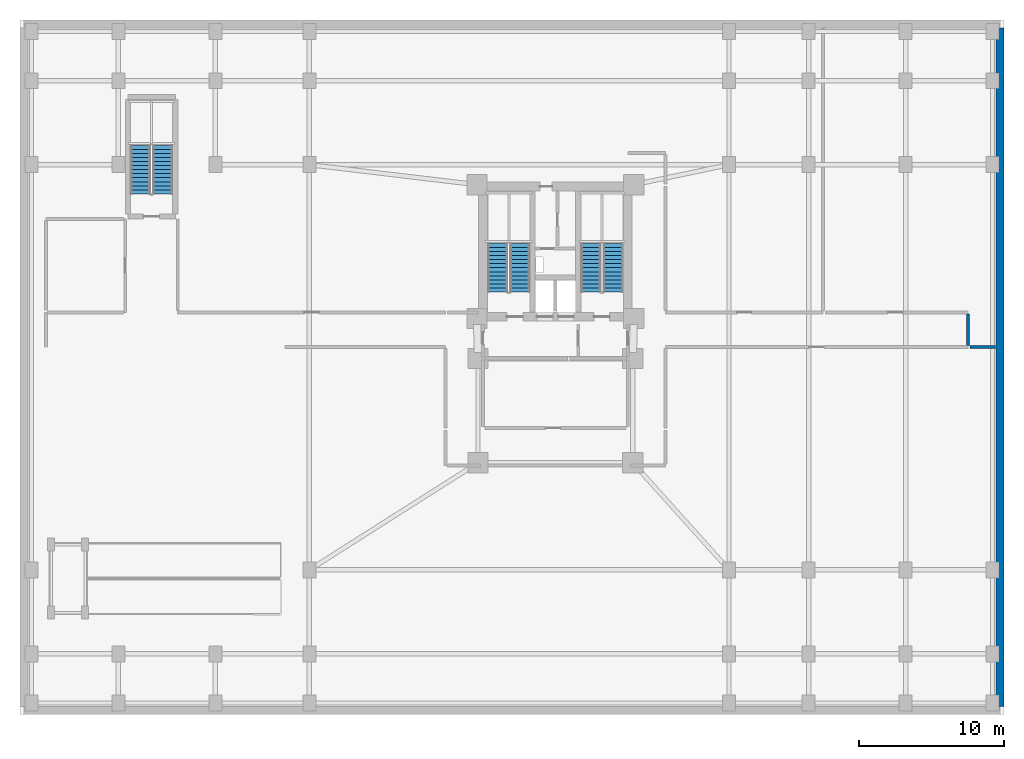
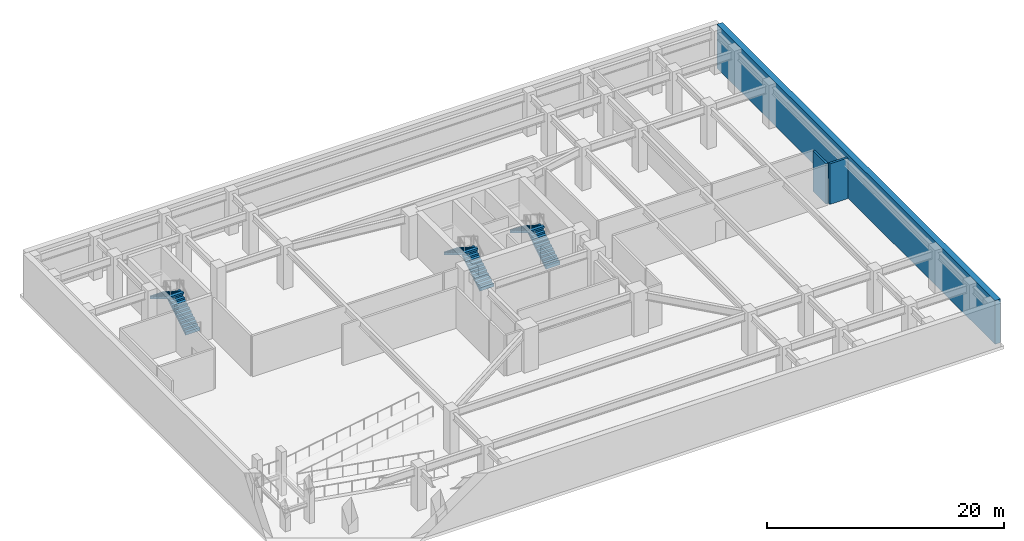
# One storey, part 6 of 8: 6 stair flights, 3 walls, 3 elements without a shape of their own.
"""IFC4 building model written with IfcOpenShell, lengths in metres."""

from ifc_helpers import new_model, si_unit, direction, frame, frame_2d, origin, place, context, subcontext, project, spatial, polyline, rectangle, outline, extrude, material, layer, layer_set, type_object, element, aggregate, save


model = new_model("IFC4")

# Units and contexts
model_context = context("Model", 3, precision=1e-05, world=origin(), true_north=direction((0.0, 1.0)))
body_context = subcontext(model_context, "Body", "Model", "MODEL_VIEW")
ifc_project = project(units=[si_unit("LENGTHUNIT", "METRE"), si_unit("AREAUNIT", "SQUARE_METRE"), si_unit("VOLUMEUNIT", "CUBIC_METRE"), si_unit("PLANEANGLEUNIT", "RADIAN"), si_unit("MASSUNIT", "GRAM", prefix="KILO")], contexts=[model_context])

# Site, building, storey
site_placement = place(None, origin())
site = spatial("IfcSite", under=ifc_project, at=site_placement, CompositionType="ELEMENT")
building_placement = place(site_placement, origin())
building = spatial("IfcBuilding", under=site, at=building_placement, Name="Varnakorn Sky Granary", CompositionType="ELEMENT")
storey_placement = place(building_placement, frame((0.0, 0.0, -9.0)))
storey = spatial("IfcBuildingStorey", under=building, at=storey_placement, Name="B02", CompositionType="ELEMENT", Elevation=-9.0)

# Walls
ifc_material_1 = material(Name="Autoclaved Aerated Concrete Blockwork", Category="masonry")
ifc_layer_1 = layer(ifc_material_1, 0.199951171875, Name="Autoclaved Aerated Concrete Blockwork")
ifc_layer_set_1 = layer_set([ifc_layer_1], Name="Autoclaved Aerated Concrete Blockwork")
wall_type_1 = type_object("IfcWallType", Name="WT-FIRE-200", PredefinedType="MOVABLE", material=ifc_layer_set_1)
wall_1_placement = place(storey_placement, frame((31.5, 1.510009765625, 0.0), z_axis=(0.0, 0.0, 1.0), x_axis=(0.0, 1.0, 0.0)))
element("IfcWall", 1, at=wall_1_placement, inside=storey, type_object=wall_type_1, Name="Interior Partition Wall B02-031", PredefinedType="MOVABLE", context=body_context, shape_type="SweptSolid", body=[
    extrude(rectangle(XDim=2.179931640625, YDim=0.199951171875, at=frame_2d((1.08984375, 0.0))), origin(), (0.0, 0.0, 1.0), 4.179931640625),
])
wall_2_placement = place(storey_placement, frame((31.659912109375, 1.39990234375, 0.0), z_axis=(0.0, 0.0, 1.0), x_axis=(1.0, 0.0, 0.0)))
element("IfcWall", 2, at=wall_2_placement, inside=storey, type_object=wall_type_1, Name="Interior Partition Wall B02-033", PredefinedType="MOVABLE", context=body_context, shape_type="SweptSolid", body=[
    extrude(rectangle(XDim=1.755126953125, YDim=0.199951171875, at=frame_2d((0.87744140625, 0.0))), origin(), (0.0, 0.0, 1.0), 4.179931640625),
])
ifc_material_2 = material(Name="Concrete C50/60", Category="concrete")
ifc_layer_2 = layer(ifc_material_2, 0.550048828125, Name="Concrete C50/60")
ifc_layer_set_2 = layer_set([ifc_layer_2], Name="Concrete C50/60")
wall_type_2 = type_object("IfcWallType", Name="WT-RW-BSMT-550", PredefinedType="SOLIDWALL", material=ifc_layer_set_2)
wall_3_placement = place(storey_placement, frame((33.72509765625, -23.43994140625, 0.0), z_axis=(0.0, 0.0, 1.0), x_axis=(0.0, 1.0, 0.0)))
element("IfcWall", 3, at=wall_3_placement, inside=storey, type_object=wall_type_2, Name="Basement Perimeter Retaining Wall B02-E", PredefinedType="SOLIDWALL", context=body_context, shape_type="SweptSolid", body=[
    extrude(rectangle(XDim=46.8798828125, YDim=0.550048828125, at=frame_2d((23.43994140625, 0.0))), origin(), (0.0, 0.0, 1.0), 4.491943359375),
])

# Stair, stair flights
ifc_material_3 = material(Name="Concrete C40/50", Category="concrete")
stair_type = type_object("IfcStairType", Name="ST-MAIN-ASSEMBLY", PredefinedType="HALF_TURN_STAIR", material=ifc_material_3)
stair_1_placement = place(storey_placement, origin())
stair_1 = element("IfcStair", 4, at=stair_1_placement, inside=storey, type_object=stair_type, Name="B02 Protected Exit Stair ST-1", PredefinedType="HALF_TURN_STAIR")
stair_flight_type = type_object("IfcStairFlightType", Name="ST-MAIN-FLIGHT", PredefinedType="STRAIGHT", material=ifc_material_3)
stair_flight_1_placement = place(storey_placement, frame((0.550048828125, 5.199951171875, 0.0), z_axis=(0.0, 0.0, 1.0), x_axis=(0.0, 1.0, 0.0)))
stair_flight_1 = element("IfcStairFlight", 5, at=stair_flight_1_placement, type_object=stair_flight_type, Name="ST-1 flight 1", NumberOfRisers=13, NumberOfTreads=12, PredefinedType="STRAIGHT", RiserHeight=0.173076923, TreadLength=0.28, context=body_context, shape_type="SweptSolid", body=[
    extrude(outline(polyline([(0.0, -0.14990234375), (0.0, 0.0), (0.0, 0.173095703125), (0.280029296875, 0.173095703125), (0.280029296875, 0.34619140625), (0.56005859375, 0.34619140625), (0.56005859375, 0.519287109375), (0.840087890625, 0.519287109375), (0.840087890625, 0.6923828125), (1.1201171875, 0.6923828125), (1.1201171875, 0.865478515625), (1.39990234375, 0.865478515625), (1.39990234375, 1.03857421875), (1.679931640625, 1.03857421875), (1.679931640625, 1.21142578125), (1.9599609375, 1.21142578125), (1.9599609375, 1.384521484375), (2.239990234375, 1.384521484375), (2.239990234375, 1.5576171875), (2.52001953125, 1.5576171875), (2.52001953125, 1.730712890625), (2.800048828125, 1.730712890625), (2.800048828125, 1.90380859375), (3.080078125, 1.90380859375), (3.080078125, 2.076904296875), (3.360107421875, 2.076904296875), (3.360107421875, 2.25), (3.360107421875, 1.900634765625), (0.050048828125, -0.14990234375), (0.0, -0.14990234375)])), frame((0.0, 0.68994140625, 0.0), z_axis=(0.0, -1.0, 0.0), x_axis=(1.0, 0.0, 0.0)), (0.0, 0.0, 1.0), 1.3798828125),
])
stair_flight_2_placement = place(storey_placement, frame((-0.97998046875, 8.56005859375, 2.25), z_axis=(0.0, 0.0, 1.0), x_axis=(0.0, -1.0, 0.0)))
stair_flight_2 = element("IfcStairFlight", 6, at=stair_flight_2_placement, type_object=stair_flight_type, Name="ST-1 flight 2", NumberOfRisers=13, NumberOfTreads=12, PredefinedType="STRAIGHT", RiserHeight=0.173076923, TreadLength=0.28, context=body_context, shape_type="SweptSolid", body=[
    extrude(outline(polyline([(0.0, -0.14990234375), (0.0, 0.0), (0.0, 0.173095703125), (0.280029296875, 0.173095703125), (0.280029296875, 0.34619140625), (0.56005859375, 0.34619140625), (0.56005859375, 0.519287109375), (0.840087890625, 0.519287109375), (0.840087890625, 0.6923828125), (1.1201171875, 0.6923828125), (1.1201171875, 0.865478515625), (1.39990234375, 0.865478515625), (1.39990234375, 1.03857421875), (1.679931640625, 1.03857421875), (1.679931640625, 1.21142578125), (1.9599609375, 1.21142578125), (1.9599609375, 1.384521484375), (2.239990234375, 1.384521484375), (2.239990234375, 1.5576171875), (2.52001953125, 1.5576171875), (2.52001953125, 1.730712890625), (2.800048828125, 1.730712890625), (2.800048828125, 1.90380859375), (3.080078125, 1.90380859375), (3.080078125, 2.076904296875), (3.360107421875, 2.076904296875), (3.360107421875, 2.25), (3.360107421875, 1.900634765625), (0.050048828125, -0.14990234375), (0.0, -0.14990234375)])), frame((0.0, 0.68994140625, 0.0), z_axis=(0.0, -1.0, 0.0), x_axis=(1.0, 0.0, 0.0)), (0.0, 0.0, 1.0), 1.3798828125),
])
aggregate(stair_1, [stair_flight_1, stair_flight_2])

stair_2_placement = place(storey_placement, origin())
stair_2 = element("IfcStair", 7, at=stair_2_placement, inside=storey, type_object=stair_type, Name="B02 Protected Exit Stair ST-2", PredefinedType="HALF_TURN_STAIR")
stair_flight_3_placement = place(storey_placement, frame((6.989990234375, 5.199951171875, 0.0), z_axis=(0.0, 0.0, 1.0), x_axis=(0.0, 1.0, 0.0)))
stair_flight_3 = element("IfcStairFlight", 8, at=stair_flight_3_placement, type_object=stair_flight_type, Name="ST-2 flight 1", NumberOfRisers=13, NumberOfTreads=12, PredefinedType="STRAIGHT", RiserHeight=0.173076923, TreadLength=0.28, context=body_context, shape_type="SweptSolid", body=[
    extrude(outline(polyline([(0.0, -0.14990234375), (0.0, 0.0), (0.0, 0.173095703125), (0.280029296875, 0.173095703125), (0.280029296875, 0.34619140625), (0.56005859375, 0.34619140625), (0.56005859375, 0.519287109375), (0.840087890625, 0.519287109375), (0.840087890625, 0.6923828125), (1.1201171875, 0.6923828125), (1.1201171875, 0.865478515625), (1.39990234375, 0.865478515625), (1.39990234375, 1.03857421875), (1.679931640625, 1.03857421875), (1.679931640625, 1.21142578125), (1.9599609375, 1.21142578125), (1.9599609375, 1.384521484375), (2.239990234375, 1.384521484375), (2.239990234375, 1.5576171875), (2.52001953125, 1.5576171875), (2.52001953125, 1.730712890625), (2.800048828125, 1.730712890625), (2.800048828125, 1.90380859375), (3.080078125, 1.90380859375), (3.080078125, 2.076904296875), (3.360107421875, 2.076904296875), (3.360107421875, 2.25), (3.360107421875, 1.900634765625), (0.050048828125, -0.14990234375), (0.0, -0.14990234375)])), frame((0.0, 0.68994140625, 0.0), z_axis=(0.0, -1.0, 0.0), x_axis=(1.0, 0.0, 0.0)), (0.0, 0.0, 1.0), 1.3798828125),
])
stair_flight_4_placement = place(storey_placement, frame((5.4599609375, 8.56005859375, 2.25), z_axis=(0.0, 0.0, 1.0), x_axis=(0.0, -1.0, 0.0)))
stair_flight_4 = element("IfcStairFlight", 9, at=stair_flight_4_placement, type_object=stair_flight_type, Name="ST-2 flight 2", NumberOfRisers=13, NumberOfTreads=12, PredefinedType="STRAIGHT", RiserHeight=0.173076923, TreadLength=0.28, context=body_context, shape_type="SweptSolid", body=[
    extrude(outline(polyline([(0.0, -0.14990234375), (0.0, 0.0), (0.0, 0.173095703125), (0.280029296875, 0.173095703125), (0.280029296875, 0.34619140625), (0.56005859375, 0.34619140625), (0.56005859375, 0.519287109375), (0.840087890625, 0.519287109375), (0.840087890625, 0.6923828125), (1.1201171875, 0.6923828125), (1.1201171875, 0.865478515625), (1.39990234375, 0.865478515625), (1.39990234375, 1.03857421875), (1.679931640625, 1.03857421875), (1.679931640625, 1.21142578125), (1.9599609375, 1.21142578125), (1.9599609375, 1.384521484375), (2.239990234375, 1.384521484375), (2.239990234375, 1.5576171875), (2.52001953125, 1.5576171875), (2.52001953125, 1.730712890625), (2.800048828125, 1.730712890625), (2.800048828125, 1.90380859375), (3.080078125, 1.90380859375), (3.080078125, 2.076904296875), (3.360107421875, 2.076904296875), (3.360107421875, 2.25), (3.360107421875, 1.900634765625), (0.050048828125, -0.14990234375), (0.0, -0.14990234375)])), frame((0.0, 0.68994140625, 0.0), z_axis=(0.0, -1.0, 0.0), x_axis=(1.0, 0.0, 0.0)), (0.0, 0.0, 1.0), 1.3798828125),
])
aggregate(stair_2, [stair_flight_3, stair_flight_4])

stair_3_placement = place(storey_placement, origin())
stair_3 = element("IfcStair", 10, at=stair_3_placement, inside=storey, type_object=stair_type, Name="B02 Podium and Basement Protected Exit Stair ST-B3", PredefinedType="HALF_TURN_STAIR")
stair_flight_5_placement = place(storey_placement, frame((-24.139892578125, 11.97998046875, 0.0), z_axis=(0.0, 0.0, 1.0), x_axis=(0.0, 1.0, 0.0)))
stair_flight_5 = element("IfcStairFlight", 11, at=stair_flight_5_placement, type_object=stair_flight_type, Name="ST-B3 flight 1", NumberOfRisers=13, NumberOfTreads=12, PredefinedType="STRAIGHT", RiserHeight=0.173076923, TreadLength=0.28, context=body_context, shape_type="SweptSolid", body=[
    extrude(outline(polyline([(0.0, -0.14990234375), (0.0, 0.0), (0.0, 0.173095703125), (0.280029296875, 0.173095703125), (0.280029296875, 0.34619140625), (0.56005859375, 0.34619140625), (0.56005859375, 0.519287109375), (0.840087890625, 0.519287109375), (0.840087890625, 0.6923828125), (1.1201171875, 0.6923828125), (1.1201171875, 0.865478515625), (1.39990234375, 0.865478515625), (1.39990234375, 1.03857421875), (1.679931640625, 1.03857421875), (1.679931640625, 1.21142578125), (1.9599609375, 1.21142578125), (1.9599609375, 1.384521484375), (2.239990234375, 1.384521484375), (2.239990234375, 1.5576171875), (2.52001953125, 1.5576171875), (2.52001953125, 1.730712890625), (2.800048828125, 1.730712890625), (2.800048828125, 1.90380859375), (3.080078125, 1.90380859375), (3.080078125, 2.076904296875), (3.360107421875, 2.076904296875), (3.360107421875, 2.25), (3.360107421875, 1.900634765625), (0.050048828125, -0.14990234375), (0.0, -0.14990234375)])), frame((0.0, 0.68994140625, 0.0), z_axis=(0.0, -1.0, 0.0), x_axis=(1.0, 0.0, 0.0)), (0.0, 0.0, 1.0), 1.3798828125),
])
stair_flight_6_placement = place(storey_placement, frame((-25.669921875, 15.340087890625, 2.25), z_axis=(0.0, 0.0, 1.0), x_axis=(0.0, -1.0, 0.0)))
stair_flight_6 = element("IfcStairFlight", 12, at=stair_flight_6_placement, type_object=stair_flight_type, Name="ST-B3 flight 2", NumberOfRisers=13, NumberOfTreads=12, PredefinedType="STRAIGHT", RiserHeight=0.173076923, TreadLength=0.28, context=body_context, shape_type="SweptSolid", body=[
    extrude(outline(polyline([(0.0, -0.14990234375), (0.0, 0.0), (0.0, 0.173095703125), (0.280029296875, 0.173095703125), (0.280029296875, 0.34619140625), (0.56005859375, 0.34619140625), (0.56005859375, 0.519287109375), (0.840087890625, 0.519287109375), (0.840087890625, 0.6923828125), (1.1201171875, 0.6923828125), (1.1201171875, 0.865478515625), (1.39990234375, 0.865478515625), (1.39990234375, 1.03857421875), (1.679931640625, 1.03857421875), (1.679931640625, 1.21142578125), (1.9599609375, 1.21142578125), (1.9599609375, 1.384521484375), (2.239990234375, 1.384521484375), (2.239990234375, 1.5576171875), (2.52001953125, 1.5576171875), (2.52001953125, 1.730712890625), (2.800048828125, 1.730712890625), (2.800048828125, 1.90380859375), (3.080078125, 1.90380859375), (3.080078125, 2.076904296875), (3.360107421875, 2.076904296875), (3.360107421875, 2.25), (3.360107421875, 1.900634765625), (0.050048828125, -0.14990234375), (0.0, -0.14990234375)])), frame((0.0, 0.68994140625, 0.0), z_axis=(0.0, -1.0, 0.0), x_axis=(1.0, 0.0, 0.0)), (0.0, 0.0, 1.0), 1.3798828125),
])
aggregate(stair_3, [stair_flight_5, stair_flight_6])

save(model, "model.ifc")
